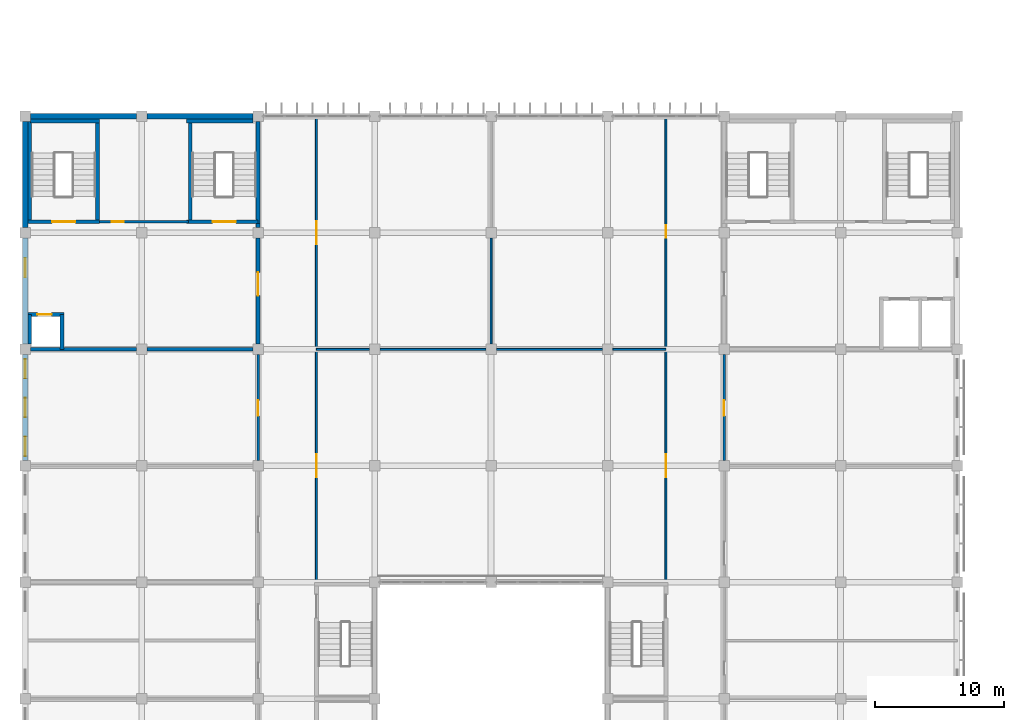
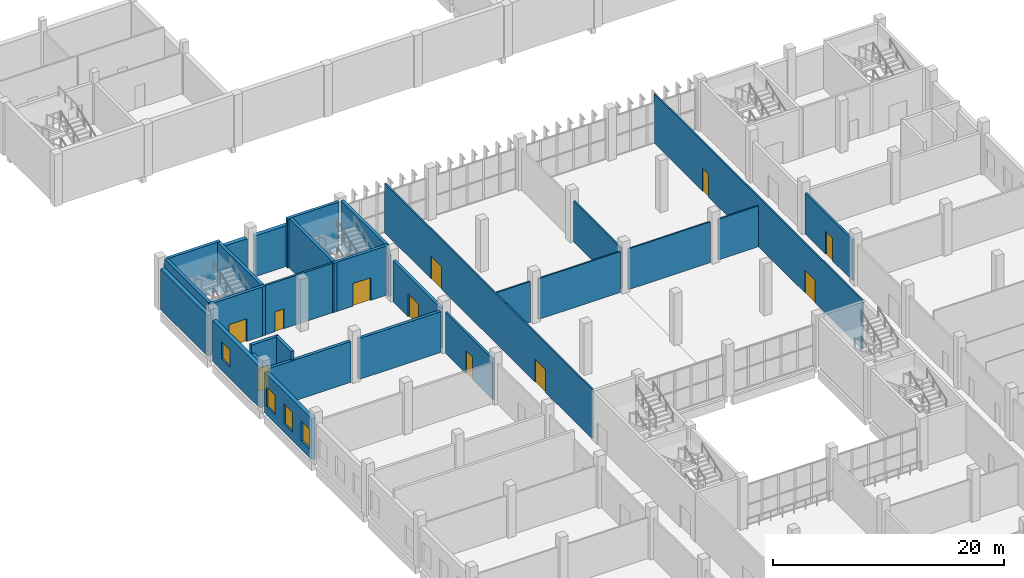
# One storey, part 109 of 185: 30 walls, 11 doors, 4 windows, 15 openings.
"""IFC4 building model written with IfcOpenShell, lengths in metres."""

from ifc_helpers import new_model, si_unit, direction, frame, frame_2d, origin, place, context, subcontext, project, spatial, rectangle, extrude, material, layer, layer_set, type_object, element, fill, save


model = new_model("IFC4")

# Units and contexts
model_context = context("Model", 3, precision=1e-05, world=origin(), true_north=direction((0.0, 1.0)))
body_context = subcontext(model_context, "Body", "Model", "MODEL_VIEW")
ifc_project = project(units=[si_unit("LENGTHUNIT", "METRE"), si_unit("AREAUNIT", "SQUARE_METRE"), si_unit("VOLUMEUNIT", "CUBIC_METRE"), si_unit("PLANEANGLEUNIT", "RADIAN"), si_unit("MASSUNIT", "GRAM", prefix="KILO")], contexts=[model_context])

# Site, building, storey
site_placement = place(None, origin())
site = spatial("IfcSite", under=ifc_project, at=site_placement, CompositionType="ELEMENT")
building_placement = place(site_placement, origin())
building = spatial("IfcBuilding", under=site, at=building_placement, Name="Opaline Strait Convention Centre", CompositionType="ELEMENT")
storey_placement = place(building_placement, frame((0.0, 0.0, 6.0)))
storey = spatial("IfcBuildingStorey", under=building, at=storey_placement, Name="L01", CompositionType="ELEMENT", Elevation=6.0)

# Wall, opening, door
ifc_material_1 = material(Name="Gypsum board on metal studs with mineral wool")
ifc_layer_1 = layer(ifc_material_1, 0.199951171875)
ifc_layer_set_1 = layer_set([ifc_layer_1], Name="Gypsum board on metal studs with mineral wool")
wall_type_1 = type_object("IfcWallType", Name="Fire partition 200", PredefinedType="PARTITIONING", material=ifc_layer_set_1)
wall_1_placement = place(storey_placement, frame((14.75, 90.85009765625, 0.0), z_axis=(0.0, 0.0, 1.0), x_axis=(1.0, 0.0, 0.0)))
wall_1 = element("IfcWall", 1, at=wall_1_placement, inside=storey, type_object=wall_type_1, Name="NW core STORE-N wall", PredefinedType="PARTITIONING", context=body_context, shape_type="SweptSolid", body=[
    extrude(rectangle(XDim=6.85009765625, YDim=0.199951171875, at=frame_2d((3.425048828125, 0.0))), origin(), (0.0, 0.0, 1.0), 5.219970703125),
])
opening_1_placement = place(wall_1_placement, frame((0.949951171875, 0.0, 0.0)))
opening_1 = element("IfcOpeningElement", 2, at=opening_1_placement, cuts=wall_1, Name="Opening R1-014", PredefinedType="OPENING", context=body_context, shape_type="SweptSolid", body=[
    extrude(rectangle(XDim=0.89990234375, YDim=2.10009765625, at=frame_2d((0.449951171875, 1.050048828125))), frame((0.0, 0.10986328125, 0.0), z_axis=(0.0, -1.0, 0.0), x_axis=(1.0, 0.0, 0.0)), (0.0, 0.0, 1.0), 0.219970703125),
])
ifc_material_2 = material(Name="Galvanised steel door leaf", Category="steel")
door_type_1 = type_object("IfcDoorType", Name="Services store door 900x2100 FD60", OperationType="SINGLE_SWING_LEFT", PredefinedType="DOOR", material=ifc_material_2)
door_1_placement = place(opening_1_placement, frame((0.89990234375, 0.0, 0.0), z_axis=(0.0, 0.0, 1.0), x_axis=(-1.0, 0.0, 0.0)))
door_1 = element("IfcDoor", 3, at=door_1_placement, inside=storey, type_object=door_type_1, Name="Services store door NW R1-014", ObjectType="RD8", OperationType="SINGLE_SWING_LEFT", OverallHeight=2.10009765625, OverallWidth=0.89990234375, PredefinedType="DOOR", context=body_context, shape_type="SweptSolid", body=[
    extrude(rectangle(XDim=0.89990234375, YDim=2.10009765625, at=frame_2d((0.449951171875, 1.050048828125))), frame((0.0, 0.02490234375, 0.0), z_axis=(0.0, -1.0, 0.0), x_axis=(1.0, 0.0, 0.0)), (0.0, 0.0, 1.0), 0.050048828125),
])
fill(opening_1, door_1)

wall_2_placement = place(storey_placement, frame((27.0, 72.39990234375, 0.0), z_axis=(0.0, 0.0, 1.0), x_axis=(0.0, 1.0, 0.0)))
wall_2 = element("IfcWall", 4, at=wall_2_placement, inside=storey, type_object=wall_type_1, Name="L01 partition", PredefinedType="PARTITIONING", context=body_context, shape_type="SweptSolid", body=[
    extrude(rectangle(XDim=8.2001953125, YDim=0.199951171875, at=frame_2d((4.10009765625, 0.0))), origin(), (0.0, 0.0, 1.0), 4.320068359375),
])
opening_2_placement = place(wall_2_placement, frame((3.449951171875, 0.0, 0.0)))
opening_2 = element("IfcOpeningElement", 5, at=opening_2_placement, cuts=wall_2, Name="Opening R1-042", PredefinedType="OPENING", context=body_context, shape_type="SweptSolid", body=[
    extrude(rectangle(XDim=1.199951171875, YDim=2.39990234375, at=frame_2d((0.60009765625, 1.199951171875))), frame((0.0, 0.10986328125, 0.0), z_axis=(0.0, -1.0, 0.0), x_axis=(1.0, 0.0, 0.0)), (0.0, 0.0, 1.0), 0.219970703125),
])
ifc_material_3 = material(Name="Stainless steel 304 door leaf", Category="steel")
door_type_2 = type_object("IfcDoorType", Name="Kitchen door 1200x2400 FD90", OperationType="SINGLE_SWING_LEFT", PredefinedType="DOOR", material=ifc_material_3)
door_2_placement = place(opening_2_placement, frame((1.199951171875, 0.0, 0.0), z_axis=(0.0, 0.0, 1.0), x_axis=(-1.0, 0.0, 0.0)))
door_2 = element("IfcDoor", 6, at=door_2_placement, inside=storey, type_object=door_type_2, Name="Main Kitchen West door R1-042", ObjectType="RD3", OperationType="SINGLE_SWING_LEFT", OverallHeight=2.39990234375, OverallWidth=1.199951171875, PredefinedType="DOOR", context=body_context, shape_type="SweptSolid", body=[
    extrude(rectangle(XDim=1.199951171875, YDim=2.39990234375, at=frame_2d((0.60009765625, 1.199951171875))), frame((0.0, 0.02490234375, 0.0), z_axis=(0.0, -1.0, 0.0), x_axis=(1.0, 0.0, 0.0)), (0.0, 0.0, 1.0), 0.050048828125),
])
fill(opening_2, door_2)

wall_3_placement = place(storey_placement, frame((63.0, 72.39990234375, 0.0), z_axis=(0.0, 0.0, 1.0), x_axis=(0.0, 1.0, 0.0)))
wall_3 = element("IfcWall", 7, at=wall_3_placement, inside=storey, type_object=wall_type_1, Name="L01 partition", PredefinedType="PARTITIONING", context=body_context, shape_type="SweptSolid", body=[
    extrude(rectangle(XDim=8.2001953125, YDim=0.199951171875, at=frame_2d((4.10009765625, 0.0))), origin(), (0.0, 0.0, 1.0), 4.320068359375),
])
opening_3_placement = place(wall_3_placement, frame((3.449951171875, 0.0, 0.0)))
opening_3 = element("IfcOpeningElement", 8, at=opening_3_placement, cuts=wall_3, Name="Opening R1-048", PredefinedType="OPENING", context=body_context, shape_type="SweptSolid", body=[
    extrude(rectangle(XDim=1.199951171875, YDim=2.39990234375, at=frame_2d((0.60009765625, 1.199951171875))), frame((0.0, 0.10986328125, 0.0), z_axis=(0.0, -1.0, 0.0), x_axis=(1.0, 0.0, 0.0)), (0.0, 0.0, 1.0), 0.219970703125),
])
door_3_placement = place(opening_3_placement, origin())
door_3 = element("IfcDoor", 9, at=door_3_placement, inside=storey, type_object=door_type_2, Name="Main Kitchen East door R1-048", ObjectType="RD3", OperationType="SINGLE_SWING_LEFT", OverallHeight=2.39990234375, OverallWidth=1.199951171875, PredefinedType="DOOR", context=body_context, shape_type="SweptSolid", body=[
    extrude(rectangle(XDim=1.199951171875, YDim=2.39990234375, at=frame_2d((0.60009765625, 1.199951171875))), frame((0.0, 0.02490234375, 0.0), z_axis=(0.0, -1.0, 0.0), x_axis=(1.0, 0.0, 0.0)), (0.0, 0.0, 1.0), 0.050048828125),
])
fill(opening_3, door_3)

# Walls
ifc_layer_2 = layer(ifc_material_1, 0.14990234375)
ifc_layer_set_2 = layer_set([ifc_layer_2], Name="Gypsum board on metal studs with mineral wool")
wall_type_2 = type_object("IfcWallType", Name="Partition 150", PredefinedType="PARTITIONING", material=ifc_layer_set_2)
wall_4_placement = place(storey_placement, frame((31.5, 81.0, 0.0), z_axis=(0.0, 0.0, 1.0), x_axis=(1.0, 0.0, 0.0)))
element("IfcWall", 10, at=wall_4_placement, inside=storey, type_object=wall_type_2, Name="L01 partition", PredefinedType="PARTITIONING", context=body_context, shape_type="SweptSolid", body=[
    extrude(rectangle(XDim=4.10009765625, YDim=0.14990234375, at=frame_2d((2.050048828125, 0.0))), origin(), (0.0, 0.0, 1.0), 4.320068359375),
])
for number, where, z_axis, x_axis, name in (
    (11, (36.39990234375, 81.0, 0.0), (0.0, 0.0, 1.0), (1.0, 0.0, 0.0), "L01 partition"),
    (12, (45.39990234375, 81.0, 0.0), (0.0, 0.0, 1.0), (1.0, 0.0, 0.0), "L01 partition"),
):
    element("IfcWall", number, at=place(storey_placement, frame(where, z_axis=z_axis, x_axis=x_axis)), inside=storey, type_object=wall_type_2, Name=name, PredefinedType="PARTITIONING", context=body_context, shape_type="SweptSolid", body=[
        extrude(rectangle(XDim=8.2001953125, YDim=0.14990234375, at=frame_2d((4.10009765625, 0.0))), origin(), (0.0, 0.0, 1.0), 4.320068359375),
    ])
wall_5_placement = place(storey_placement, frame((54.39990234375, 81.0, 0.0), z_axis=(0.0, 0.0, 1.0), x_axis=(1.0, 0.0, 0.0)))
element("IfcWall", 13, at=wall_5_placement, inside=storey, type_object=wall_type_2, Name="L01 partition", PredefinedType="PARTITIONING", context=body_context, shape_type="SweptSolid", body=[
    extrude(rectangle(XDim=4.10009765625, YDim=0.14990234375, at=frame_2d((2.050048828125, 0.0))), origin(), (0.0, 0.0, 1.0), 4.320068359375),
])

# Wall, openings, doors
wall_6_placement = place(storey_placement, frame((31.5, 63.0, 0.0), z_axis=(0.0, 0.0, 1.0), x_axis=(0.0, 1.0, 0.0)))
wall_6 = element("IfcWall", 14, at=wall_6_placement, inside=storey, type_object=wall_type_2, Name="L01 partition", PredefinedType="PARTITIONING", context=body_context, shape_type="SweptSolid", body=[
    extrude(rectangle(XDim=36.0, YDim=0.14990234375, at=frame_2d((18.0, 0.0))), origin(), (0.0, 0.0, 1.0), 5.219970703125),
])
opening_4_placement = place(wall_6_placement, frame((8.10009765625, 0.0, 0.0)))
opening_4 = element("IfcOpeningElement", 15, at=opening_4_placement, cuts=wall_6, Name="Opening R1-033", PredefinedType="OPENING", context=body_context, shape_type="SweptSolid", body=[
    extrude(rectangle(XDim=1.800048828125, YDim=2.39990234375, at=frame_2d((0.89990234375, 1.199951171875))), frame((0.0, 0.0849609375, 0.0), z_axis=(0.0, -1.0, 0.0), x_axis=(1.0, 0.0, 0.0)), (0.0, 0.0, 1.0), 0.169921875),
])
opening_5_placement = place(wall_6_placement, frame((26.10009765625, 0.0, 0.0)))
opening_5 = element("IfcOpeningElement", 16, at=opening_5_placement, cuts=wall_6, Name="Opening R1-035", PredefinedType="OPENING", context=body_context, shape_type="SweptSolid", body=[
    extrude(rectangle(XDim=1.800048828125, YDim=2.39990234375, at=frame_2d((0.89990234375, 1.199951171875))), frame((0.0, 0.0849609375, 0.0), z_axis=(0.0, -1.0, 0.0), x_axis=(1.0, 0.0, 0.0)), (0.0, 0.0, 1.0), 0.169921875),
])
ifc_material_4 = material(Name="Timber door leaves in steel frame", Category="steel")
door_type_3 = type_object("IfcDoorType", Name="Door 1800x2400 double FD30", OperationType="DOUBLE_DOOR_SINGLE_SWING", PredefinedType="DOOR", material=ifc_material_4)
door_4_placement = place(opening_4_placement, origin())
door_4 = element("IfcDoor", 17, at=door_4_placement, inside=storey, type_object=door_type_3, Name="Chinese Restaurant door R1-033", ObjectType="RD2", OperationType="DOUBLE_DOOR_SINGLE_SWING", OverallHeight=2.39990234375, OverallWidth=1.800048828125, PredefinedType="DOOR", context=body_context, shape_type="SweptSolid", body=[
    extrude(rectangle(XDim=1.800048828125, YDim=2.39990234375, at=frame_2d((0.89990234375, 1.199951171875))), frame((0.0, 0.02490234375, 0.0), z_axis=(0.0, -1.0, 0.0), x_axis=(1.0, 0.0, 0.0)), (0.0, 0.0, 1.0), 0.050048828125),
])
fill(opening_4, door_4)
door_5_placement = place(opening_5_placement, origin())
door_5 = element("IfcDoor", 18, at=door_5_placement, inside=storey, type_object=door_type_3, Name="Business Centre Reception door R1-035", ObjectType="RD2", OperationType="DOUBLE_DOOR_SINGLE_SWING", OverallHeight=2.39990234375, OverallWidth=1.800048828125, PredefinedType="DOOR", context=body_context, shape_type="SweptSolid", body=[
    extrude(rectangle(XDim=1.800048828125, YDim=2.39990234375, at=frame_2d((0.89990234375, 1.199951171875))), frame((0.0, 0.02490234375, 0.0), z_axis=(0.0, -1.0, 0.0), x_axis=(1.0, 0.0, 0.0)), (0.0, 0.0, 1.0), 0.050048828125),
])
fill(opening_5, door_5)

# Wall
wall_7_placement = place(storey_placement, frame((45.0, 81.39990234375, 0.0), z_axis=(0.0, 0.0, 1.0), x_axis=(0.0, 1.0, 0.0)))
element("IfcWall", 19, at=wall_7_placement, inside=storey, type_object=wall_type_2, Name="L01 partition", PredefinedType="PARTITIONING", context=body_context, shape_type="SweptSolid", body=[
    extrude(rectangle(XDim=8.2001953125, YDim=0.14990234375, at=frame_2d((4.10009765625, 0.0))), origin(), (0.0, 0.0, 1.0), 4.320068359375),
])

# Wall, openings, doors
wall_8_placement = place(storey_placement, frame((58.5, 63.0, 0.0), z_axis=(0.0, 0.0, 1.0), x_axis=(0.0, 1.0, 0.0)))
wall_8 = element("IfcWall", 20, at=wall_8_placement, inside=storey, type_object=wall_type_2, Name="L01 partition", PredefinedType="PARTITIONING", context=body_context, shape_type="SweptSolid", body=[
    extrude(rectangle(XDim=36.0, YDim=0.14990234375, at=frame_2d((18.0, 0.0))), origin(), (0.0, 0.0, 1.0), 5.219970703125),
])
opening_6_placement = place(wall_8_placement, frame((8.10009765625, 0.0, 0.0)))
opening_6 = element("IfcOpeningElement", 21, at=opening_6_placement, cuts=wall_8, Name="Opening R1-034", PredefinedType="OPENING", context=body_context, shape_type="SweptSolid", body=[
    extrude(rectangle(XDim=1.800048828125, YDim=2.39990234375, at=frame_2d((0.89990234375, 1.199951171875))), frame((0.0, 0.0849609375, 0.0), z_axis=(0.0, -1.0, 0.0), x_axis=(1.0, 0.0, 0.0)), (0.0, 0.0, 1.0), 0.169921875),
])
opening_7_placement = place(wall_8_placement, frame((26.60009765625, 0.0, 0.0)))
opening_7 = element("IfcOpeningElement", 22, at=opening_7_placement, cuts=wall_8, Name="Opening R1-036", PredefinedType="OPENING", context=body_context, shape_type="SweptSolid", body=[
    extrude(rectangle(XDim=1.0, YDim=2.39990234375, at=frame_2d((0.5, 1.199951171875))), frame((0.0, 0.0849609375, 0.0), z_axis=(0.0, -1.0, 0.0), x_axis=(1.0, 0.0, 0.0)), (0.0, 0.0, 1.0), 0.169921875),
])
ifc_material_5 = material(Name="Timber door leaf in steel frame", Category="steel")
door_type_4 = type_object("IfcDoorType", Name="Door 1000x2400 single FD30", OperationType="SINGLE_SWING_LEFT", PredefinedType="DOOR", material=ifc_material_5)
door_6_placement = place(opening_7_placement, frame((1.0, 0.0, 0.0), z_axis=(0.0, 0.0, 1.0), x_axis=(-1.0, 0.0, 0.0)))
door_6 = element("IfcDoor", 23, at=door_6_placement, inside=storey, type_object=door_type_4, Name="Print and Copy Centre door R1-036", ObjectType="RD1", OperationType="SINGLE_SWING_LEFT", OverallHeight=2.39990234375, OverallWidth=1.0, PredefinedType="DOOR", context=body_context, shape_type="SweptSolid", body=[
    extrude(rectangle(XDim=1.0, YDim=2.39990234375, at=frame_2d((0.5, 1.199951171875))), frame((0.0, 0.02490234375, 0.0), z_axis=(0.0, -1.0, 0.0), x_axis=(1.0, 0.0, 0.0)), (0.0, 0.0, 1.0), 0.050048828125),
])
fill(opening_7, door_6)
door_7_placement = place(opening_6_placement, frame((1.800048828125, 0.0, 0.0), z_axis=(0.0, 0.0, 1.0), x_axis=(-1.0, 0.0, 0.0)))
door_7 = element("IfcDoor", 24, at=door_7_placement, inside=storey, type_object=door_type_3, Name="Chinese Restaurant door R1-034", ObjectType="RD2", OperationType="DOUBLE_DOOR_SINGLE_SWING", OverallHeight=2.39990234375, OverallWidth=1.800048828125, PredefinedType="DOOR", context=body_context, shape_type="SweptSolid", body=[
    extrude(rectangle(XDim=1.800048828125, YDim=2.39990234375, at=frame_2d((0.89990234375, 1.199951171875))), frame((0.0, 0.02490234375, 0.0), z_axis=(0.0, -1.0, 0.0), x_axis=(1.0, 0.0, 0.0)), (0.0, 0.0, 1.0), 0.050048828125),
])
fill(opening_6, door_7)

# Wall
ifc_material_6 = material(Name="Concrete C40", Category="concrete")
ifc_layer_3 = layer(ifc_material_6, 0.300048828125)
ifc_layer_set_3 = layer_set([ifc_layer_3], Name="Concrete C40")
wall_type_3 = type_object("IfcWallType", Name="RC wall 300 C40", PredefinedType="SOLIDWALL", material=ifc_layer_set_3)
wall_9_placement = place(storey_placement, frame((9.39990234375, 98.64990234375, 0.0), z_axis=(0.0, 0.0, 1.0), x_axis=(1.0, 0.0, 0.0)))
element("IfcWall", 25, at=wall_9_placement, inside=storey, type_object=wall_type_3, Name="NW core STA-S wall", PredefinedType="SOLIDWALL", context=body_context, shape_type="SweptSolid", body=[
    extrude(rectangle(XDim=5.35009765625, YDim=0.300048828125, at=frame_2d((2.675048828125, 0.0))), origin(), (0.0, 0.0, 1.0), 5.219970703125),
])

# Wall, opening, door
wall_10_placement = place(storey_placement, frame((9.199951171875, 90.85009765625, 0.0), z_axis=(0.0, 0.0, 1.0), x_axis=(1.0, 0.0, 0.0)))
wall_10 = element("IfcWall", 26, at=wall_10_placement, inside=storey, type_object=wall_type_3, Name="NW core STA-N wall", PredefinedType="SOLIDWALL", context=body_context, shape_type="SweptSolid", body=[
    extrude(rectangle(XDim=5.550048828125, YDim=0.300048828125, at=frame_2d((2.77490234375, 0.0))), origin(), (0.0, 0.0, 1.0), 5.219970703125),
])
opening_8_placement = place(wall_10_placement, frame((1.875, 0.0, 0.0)))
opening_8 = element("IfcOpeningElement", 27, at=opening_8_placement, cuts=wall_10, Name="Opening R1-012", PredefinedType="OPENING", context=body_context, shape_type="SweptSolid", body=[
    extrude(rectangle(XDim=1.800048828125, YDim=2.39990234375, at=frame_2d((0.89990234375, 1.199951171875))), frame((0.0, 0.159912109375, 0.0), z_axis=(0.0, -1.0, 0.0), x_axis=(1.0, 0.0, 0.0)), (0.0, 0.0, 1.0), 0.320068359375),
])
door_type_5 = type_object("IfcDoorType", Name="Stair door 1800x2400 double FD60", OperationType="DOUBLE_DOOR_SINGLE_SWING", PredefinedType="DOOR", material=ifc_material_4)
door_8_placement = place(opening_8_placement, frame((1.800048828125, 0.0, 0.0), z_axis=(0.0, 0.0, 1.0), x_axis=(-1.0, 0.0, 0.0)))
door_8 = element("IfcDoor", 28, at=door_8_placement, inside=storey, type_object=door_type_5, Name="Stair door NWA R1-012", ObjectType="RD7", OperationType="DOUBLE_DOOR_SINGLE_SWING", OverallHeight=2.39990234375, OverallWidth=1.800048828125, PredefinedType="DOOR", context=body_context, shape_type="SweptSolid", body=[
    extrude(rectangle(XDim=1.800048828125, YDim=2.39990234375, at=frame_2d((0.89990234375, 1.199951171875))), frame((0.0, 0.02490234375, 0.0), z_axis=(0.0, -1.0, 0.0), x_axis=(1.0, 0.0, 0.0)), (0.0, 0.0, 1.0), 0.050048828125),
])
fill(opening_8, door_8)

# Walls
wall_11_placement = place(storey_placement, frame((9.35009765625, 98.60009765625, 0.0), z_axis=(0.0, 0.0, 1.0), x_axis=(0.0, -1.0, 0.0)))
element("IfcWall", 29, at=wall_11_placement, inside=storey, type_object=wall_type_3, Name="NW core STA-W wall", PredefinedType="SOLIDWALL", context=body_context, shape_type="SweptSolid", body=[
    extrude(rectangle(XDim=7.900146484375, YDim=0.300048828125, at=frame_2d((3.9501953125, 0.0))), origin(), (0.0, 0.0, 1.0), 5.219970703125),
])
wall_12_placement = place(storey_placement, frame((14.60009765625, 98.800048828125, 0.0), z_axis=(0.0, 0.0, 1.0), x_axis=(0.0, -1.0, 0.0)))
element("IfcWall", 30, at=wall_12_placement, inside=storey, type_object=wall_type_3, Name="NW core STA-E wall", PredefinedType="SOLIDWALL", context=body_context, shape_type="SweptSolid", body=[
    extrude(rectangle(XDim=8.10009765625, YDim=0.300048828125, at=frame_2d((4.050048828125, 0.0))), origin(), (0.0, 0.0, 1.0), 5.219970703125),
])
wall_13_placement = place(storey_placement, frame((21.449951171875, 98.64990234375, 0.0), z_axis=(0.0, 0.0, 1.0), x_axis=(1.0, 0.0, 0.0)))
element("IfcWall", 31, at=wall_13_placement, inside=storey, type_object=wall_type_3, Name="NW core STB-S wall", PredefinedType="SOLIDWALL", context=body_context, shape_type="SweptSolid", body=[
    extrude(rectangle(XDim=5.150146484375, YDim=0.300048828125, at=frame_2d((2.5751953125, 0.0))), origin(), (0.0, 0.0, 1.0), 5.219970703125),
])

# Wall, opening, door
wall_14_placement = place(storey_placement, frame((21.449951171875, 90.85009765625, 0.0), z_axis=(0.0, 0.0, 1.0), x_axis=(1.0, 0.0, 0.0)))
wall_14 = element("IfcWall", 32, at=wall_14_placement, inside=storey, type_object=wall_type_3, Name="NW core STB-N wall", PredefinedType="SOLIDWALL", context=body_context, shape_type="SweptSolid", body=[
    extrude(rectangle(XDim=5.550048828125, YDim=0.300048828125, at=frame_2d((2.77490234375, 0.0))), origin(), (0.0, 0.0, 1.0), 5.219970703125),
])
opening_9_placement = place(wall_14_placement, frame((2.02490234375, 0.0, 0.0)))
opening_9 = element("IfcOpeningElement", 33, at=opening_9_placement, cuts=wall_14, Name="Opening R1-013", PredefinedType="OPENING", context=body_context, shape_type="SweptSolid", body=[
    extrude(rectangle(XDim=1.800048828125, YDim=2.39990234375, at=frame_2d((0.89990234375, 1.199951171875))), frame((0.0, 0.159912109375, 0.0), z_axis=(0.0, -1.0, 0.0), x_axis=(1.0, 0.0, 0.0)), (0.0, 0.0, 1.0), 0.320068359375),
])
door_9_placement = place(opening_9_placement, frame((1.800048828125, 0.0, 0.0), z_axis=(0.0, 0.0, 1.0), x_axis=(-1.0, 0.0, 0.0)))
door_9 = element("IfcDoor", 34, at=door_9_placement, inside=storey, type_object=door_type_5, Name="Stair door NWB R1-013", ObjectType="RD7", OperationType="DOUBLE_DOOR_SINGLE_SWING", OverallHeight=2.39990234375, OverallWidth=1.800048828125, PredefinedType="DOOR", context=body_context, shape_type="SweptSolid", body=[
    extrude(rectangle(XDim=1.800048828125, YDim=2.39990234375, at=frame_2d((0.89990234375, 1.199951171875))), frame((0.0, 0.02490234375, 0.0), z_axis=(0.0, -1.0, 0.0), x_axis=(1.0, 0.0, 0.0)), (0.0, 0.0, 1.0), 0.050048828125),
])
fill(opening_9, door_9)

# Walls
wall_15_placement = place(storey_placement, frame((21.75, 98.800048828125, 0.0), z_axis=(0.0, 0.0, 1.0), x_axis=(0.0, -1.0, 0.0)))
element("IfcWall", 35, at=wall_15_placement, inside=storey, type_object=wall_type_3, Name="NW core STB-W wall", PredefinedType="SOLIDWALL", context=body_context, shape_type="SweptSolid", body=[
    extrude(rectangle(XDim=8.10009765625, YDim=0.300048828125, at=frame_2d((4.050048828125, 0.0))), origin(), (0.0, 0.0, 1.0), 5.219970703125),
])
wall_16_placement = place(storey_placement, frame((27.0, 98.60009765625, 0.0), z_axis=(0.0, 0.0, 1.0), x_axis=(0.0, -1.0, 0.0)))
element("IfcWall", 36, at=wall_16_placement, inside=storey, type_object=wall_type_3, Name="NW core STB-E wall", PredefinedType="SOLIDWALL", context=body_context, shape_type="SweptSolid", body=[
    extrude(rectangle(XDim=7.900146484375, YDim=0.300048828125, at=frame_2d((3.9501953125, 0.0))), origin(), (0.0, 0.0, 1.0), 5.219970703125),
])
for number, where, z_axis, x_axis, name in (
    (37, (9.39990234375, 81.0, 0.0), (0.0, 0.0, 1.0), (1.0, 0.0, 0.0), "NW core BND-N wall"),
    (38, (18.39990234375, 81.0, 0.0), (0.0, 0.0, 1.0), (1.0, 0.0, 0.0), "NW core BND-N wall"),
):
    element("IfcWall", number, at=place(storey_placement, frame(where, z_axis=z_axis, x_axis=x_axis)), inside=storey, type_object=wall_type_3, Name=name, PredefinedType="SOLIDWALL", context=body_context, shape_type="SweptSolid", body=[
        extrude(rectangle(XDim=8.2001953125, YDim=0.300048828125, at=frame_2d((4.10009765625, 0.0))), origin(), (0.0, 0.0, 1.0), 4.320068359375),
    ])

# Wall, opening, door
wall_17_placement = place(storey_placement, frame((27.0, 89.60009765625, 0.0), z_axis=(0.0, 0.0, 1.0), x_axis=(0.0, -1.0, 0.0)))
wall_17 = element("IfcWall", 39, at=wall_17_placement, inside=storey, type_object=wall_type_3, Name="NW core BND-E wall", PredefinedType="SOLIDWALL", context=body_context, shape_type="SweptSolid", body=[
    extrude(rectangle(XDim=8.2001953125, YDim=0.300048828125, at=frame_2d((4.10009765625, 0.0))), origin(), (0.0, 0.0, 1.0), 4.320068359375),
])
opening_10_placement = place(wall_17_placement, frame((2.64990234375, 0.0, 0.0)))
opening_10 = element("IfcOpeningElement", 40, at=opening_10_placement, cuts=wall_17, Name="Opening R1-015", PredefinedType="OPENING", context=body_context, shape_type="SweptSolid", body=[
    extrude(rectangle(XDim=1.800048828125, YDim=2.39990234375, at=frame_2d((0.89990234375, 1.199951171875))), frame((0.0, 0.159912109375, 0.0), z_axis=(0.0, -1.0, 0.0), x_axis=(1.0, 0.0, 0.0)), (0.0, 0.0, 1.0), 0.320068359375),
])
door_type_6 = type_object("IfcDoorType", Name="Door 1800x2400 double FD60", OperationType="DOUBLE_DOOR_SINGLE_SWING", PredefinedType="DOOR", material=ifc_material_4)
door_10_placement = place(opening_10_placement, origin())
door_10 = element("IfcDoor", 41, at=door_10_placement, inside=storey, type_object=door_type_6, Name="Core lobby door NW R1-015", ObjectType="RD9", OperationType="DOUBLE_DOOR_SINGLE_SWING", OverallHeight=2.39990234375, OverallWidth=1.800048828125, PredefinedType="DOOR", context=body_context, shape_type="SweptSolid", body=[
    extrude(rectangle(XDim=1.800048828125, YDim=2.39990234375, at=frame_2d((0.89990234375, 1.199951171875))), frame((0.0, 0.02490234375, 0.0), z_axis=(0.0, -1.0, 0.0), x_axis=(1.0, 0.0, 0.0)), (0.0, 0.0, 1.0), 0.050048828125),
])
fill(opening_10, door_10)

# Wall
wall_18_placement = place(storey_placement, frame((27.0, 90.699951171875, 0.0), z_axis=(0.0, 0.0, 1.0), x_axis=(0.0, -1.0, 0.0)))
element("IfcWall", 42, at=wall_18_placement, inside=storey, type_object=wall_type_3, Name="NW core BND-E wall", PredefinedType="SOLIDWALL", context=body_context, shape_type="SweptSolid", body=[
    extrude(rectangle(XDim=0.300048828125, YDim=0.300048828125, at=frame_2d((0.14990234375, 0.0))), origin(), (0.0, 0.0, 1.0), 4.320068359375),
])

# Wall, opening, door
wall_19_placement = place(storey_placement, frame((9.199951171875, 83.699951171875, 0.0), z_axis=(0.0, 0.0, 1.0), x_axis=(1.0, 0.0, 0.0)))
wall_19 = element("IfcWall", 43, at=wall_19_placement, inside=storey, type_object=wall_type_3, Name="NW core LIFT-S wall", PredefinedType="SOLIDWALL", context=body_context, shape_type="SweptSolid", body=[
    extrude(rectangle(XDim=2.800048828125, YDim=0.300048828125, at=frame_2d((1.39990234375, 0.0))), origin(), (0.0, 0.0, 1.0), 5.219970703125),
])
opening_11_placement = place(wall_19_placement, frame((0.75, 0.0, 0.0)))
opening_11 = element("IfcOpeningElement", 44, at=opening_11_placement, cuts=wall_19, Name="Opening R1-016", PredefinedType="OPENING", context=body_context, shape_type="SweptSolid", body=[
    extrude(rectangle(XDim=1.10009765625, YDim=2.39990234375, at=frame_2d((0.550048828125, 1.199951171875))), frame((0.0, 0.159912109375, 0.0), z_axis=(0.0, -1.0, 0.0), x_axis=(1.0, 0.0, 0.0)), (0.0, 0.0, 1.0), 0.320068359375),
])
ifc_material_7 = material(Name="Stainless steel 304 door leaves", Category="steel")
door_type_7 = type_object("IfcDoorType", Name="Lift landing door 1100x2400 sliding FD60", OperationType="SLIDING_TO_LEFT", PredefinedType="DOOR", material=ifc_material_7)
door_11_placement = place(opening_11_placement, origin())
door_11 = element("IfcDoor", 45, at=door_11_placement, inside=storey, type_object=door_type_7, Name="Lift landing door NWP R1-016", ObjectType="LD1", OperationType="SLIDING_TO_LEFT", OverallHeight=2.39990234375, OverallWidth=1.10009765625, PredefinedType="DOOR", context=body_context, shape_type="SweptSolid", body=[
    extrude(rectangle(XDim=1.10009765625, YDim=2.39990234375, at=frame_2d((0.550048828125, 1.199951171875))), frame((0.0, 0.02490234375, 0.0), z_axis=(0.0, -1.0, 0.0), x_axis=(1.0, 0.0, 0.0)), (0.0, 0.0, 1.0), 0.050048828125),
])
fill(opening_11, door_11)

# Walls
wall_20_placement = place(storey_placement, frame((11.85009765625, 83.699951171875, 0.0), z_axis=(0.0, 0.0, 1.0), x_axis=(0.0, -1.0, 0.0)))
element("IfcWall", 46, at=wall_20_placement, inside=storey, type_object=wall_type_3, Name="NW core LIFT-M wall", PredefinedType="SOLIDWALL", context=body_context, shape_type="SweptSolid", body=[
    extrude(rectangle(XDim=2.699951171875, YDim=0.300048828125, at=frame_2d((1.35009765625, 0.0))), origin(), (0.0, 0.0, 1.0), 5.219970703125),
])
wall_21_placement = place(storey_placement, frame((9.35009765625, 83.699951171875, 0.0), z_axis=(0.0, 0.0, 1.0), x_axis=(0.0, -1.0, 0.0)))
element("IfcWall", 47, at=wall_21_placement, inside=storey, type_object=wall_type_3, Name="NW core LIFT-W wall", PredefinedType="SOLIDWALL", context=body_context, shape_type="SweptSolid", body=[
    extrude(rectangle(XDim=2.300048828125, YDim=0.300048828125, at=frame_2d((1.14990234375, 0.0))), origin(), (0.0, 0.0, 1.0), 4.320068359375),
])
ifc_layer_4 = layer(ifc_material_6, 0.320068359375)
ifc_material_8 = material(Name="Mineral wool insulation")
ifc_layer_5 = layer(ifc_material_8, 0.050048828125)
ifc_material_9 = material(Name="Gypsum board lining")
ifc_layer_6 = layer(ifc_material_9, 0.030029296875)
ifc_layer_set_4 = layer_set([ifc_layer_4, ifc_layer_5, ifc_layer_6], Name="Concrete C40, Mineral wool insulation, Gypsum board lining")
wall_type_4 = type_object("IfcWallType", Name="RC wall 400 C40", PredefinedType="SOLIDWALL", material=ifc_layer_set_4)
for number, where, z_axis, x_axis, name in (
    (48, (9.39990234375, 99.0, 0.0), (0.0, 0.0, 1.0), (1.0, 0.0, 0.0), "L01 N external wall 1"),
    (49, (18.39990234375, 99.0, 0.0), (0.0, 0.0, 1.0), (1.0, 0.0, 0.0), "L01 N external wall 2"),
):
    element("IfcWall", number, at=place(storey_placement, frame(where, z_axis=z_axis, x_axis=x_axis)), inside=storey, type_object=wall_type_4, Name=name, PredefinedType="SOLIDWALL", context=body_context, shape_type="SweptSolid", body=[
        extrude(rectangle(XDim=8.2001953125, YDim=0.39990234375, at=frame_2d((4.10009765625, 0.0))), origin(), (0.0, 0.0, 1.0), 4.320068359375),
    ])

# Wall, openings, windows
wall_22_placement = place(storey_placement, frame((9.0, 72.39990234375, 0.0), z_axis=(0.0, 0.0, 1.0), x_axis=(0.0, 1.0, 0.0)))
wall_22 = element("IfcWall", 50, at=wall_22_placement, inside=storey, type_object=wall_type_4, Name="L01 W external wall 8", PredefinedType="SOLIDWALL", context=body_context, shape_type="SweptSolid", body=[
    extrude(rectangle(XDim=8.2001953125, YDim=0.39990234375, at=frame_2d((4.10009765625, 0.0))), origin(), (0.0, 0.0, 1.0), 4.320068359375),
])
opening_12_placement = place(wall_22_placement, frame((0.35009765625, 0.0, 0.89990234375)))
opening_12 = element("IfcOpeningElement", 51, at=opening_12_placement, cuts=wall_22, Name="Opening RWN1", PredefinedType="OPENING", context=body_context, shape_type="SweptSolid", body=[
    extrude(rectangle(XDim=1.5, YDim=2.10009765625, at=frame_2d((0.75, 1.050048828125))), frame((0.0, 0.2099609375, 0.0), z_axis=(0.0, -1.0, 0.0), x_axis=(1.0, 0.0, 0.0)), (0.0, 0.0, 1.0), 0.419921875),
])
opening_13_placement = place(wall_22_placement, frame((3.35009765625, 0.0, 0.89990234375)))
opening_13 = element("IfcOpeningElement", 52, at=opening_13_placement, cuts=wall_22, Name="Opening RWN1", PredefinedType="OPENING", context=body_context, shape_type="SweptSolid", body=[
    extrude(rectangle(XDim=1.5, YDim=2.10009765625, at=frame_2d((0.75, 1.050048828125))), frame((0.0, 0.2099609375, 0.0), z_axis=(0.0, -1.0, 0.0), x_axis=(1.0, 0.0, 0.0)), (0.0, 0.0, 1.0), 0.419921875),
])
opening_14_placement = place(wall_22_placement, frame((6.35009765625, 0.0, 0.89990234375)))
opening_14 = element("IfcOpeningElement", 53, at=opening_14_placement, cuts=wall_22, Name="Opening RWN1", PredefinedType="OPENING", context=body_context, shape_type="SweptSolid", body=[
    extrude(rectangle(XDim=1.5, YDim=2.10009765625, at=frame_2d((0.75, 1.050048828125))), frame((0.0, 0.2099609375, 0.0), z_axis=(0.0, -1.0, 0.0), x_axis=(1.0, 0.0, 0.0)), (0.0, 0.0, 1.0), 0.419921875),
])
ifc_material_10 = material(Name="Aluminium framed double glazing", Category="aluminium")
window_type_1 = type_object("IfcWindowType", Name="Window 1500x2100 sill 900", PartitioningType="SINGLE_PANEL", PredefinedType="WINDOW", material=ifc_material_10)
window_1_placement = place(opening_12_placement, origin())
window_1 = element("IfcWindow", 54, at=window_1_placement, inside=storey, type_object=window_type_1, Name="Window L01-W8-W1", OverallHeight=2.10009765625, OverallWidth=1.5, PartitioningType="SINGLE_PANEL", PredefinedType="WINDOW", context=body_context, shape_type="SweptSolid", body=[
    extrude(rectangle(XDim=1.5, YDim=2.10009765625, at=frame_2d((0.75, 1.050048828125))), frame((0.0, 0.030029296875, 0.0), z_axis=(0.0, -1.0, 0.0), x_axis=(1.0, 0.0, 0.0)), (0.0, 0.0, 1.0), 0.06005859375),
])
fill(opening_12, window_1)
window_2_placement = place(opening_13_placement, origin())
window_2 = element("IfcWindow", 55, at=window_2_placement, inside=storey, type_object=window_type_1, Name="Window L01-W8-W2", OverallHeight=2.10009765625, OverallWidth=1.5, PartitioningType="SINGLE_PANEL", PredefinedType="WINDOW", context=body_context, shape_type="SweptSolid", body=[
    extrude(rectangle(XDim=1.5, YDim=2.10009765625, at=frame_2d((0.75, 1.050048828125))), frame((0.0, 0.030029296875, 0.0), z_axis=(0.0, -1.0, 0.0), x_axis=(1.0, 0.0, 0.0)), (0.0, 0.0, 1.0), 0.06005859375),
])
fill(opening_13, window_2)
window_3_placement = place(opening_14_placement, origin())
window_3 = element("IfcWindow", 56, at=window_3_placement, inside=storey, type_object=window_type_1, Name="Window L01-W8-W3", OverallHeight=2.10009765625, OverallWidth=1.5, PartitioningType="SINGLE_PANEL", PredefinedType="WINDOW", context=body_context, shape_type="SweptSolid", body=[
    extrude(rectangle(XDim=1.5, YDim=2.10009765625, at=frame_2d((0.75, 1.050048828125))), frame((0.0, 0.030029296875, 0.0), z_axis=(0.0, -1.0, 0.0), x_axis=(1.0, 0.0, 0.0)), (0.0, 0.0, 1.0), 0.06005859375),
])
fill(opening_14, window_3)

# Wall, opening, window
wall_23_placement = place(storey_placement, frame((9.0, 81.39990234375, 0.0), z_axis=(0.0, 0.0, 1.0), x_axis=(0.0, 1.0, 0.0)))
wall_23 = element("IfcWall", 57, at=wall_23_placement, inside=storey, type_object=wall_type_4, Name="L01 W external wall 9", PredefinedType="SOLIDWALL", context=body_context, shape_type="SweptSolid", body=[
    extrude(rectangle(XDim=8.2001953125, YDim=0.39990234375, at=frame_2d((4.10009765625, 0.0))), origin(), (0.0, 0.0, 1.0), 4.320068359375),
])
opening_15_placement = place(wall_23_placement, frame((5.14990234375, 0.0, 1.199951171875)))
opening_15 = element("IfcOpeningElement", 58, at=opening_15_placement, cuts=wall_23, Name="Opening RWN4", PredefinedType="OPENING", context=body_context, shape_type="SweptSolid", body=[
    extrude(rectangle(XDim=1.5, YDim=1.800048828125, at=frame_2d((0.75, 0.89990234375))), frame((0.0, 0.2099609375, 0.0), z_axis=(0.0, -1.0, 0.0), x_axis=(1.0, 0.0, 0.0)), (0.0, 0.0, 1.0), 0.419921875),
])
window_type_2 = type_object("IfcWindowType", Name="Window 1500x1800 sill 1200", PartitioningType="SINGLE_PANEL", PredefinedType="WINDOW", material=ifc_material_10)
window_4_placement = place(opening_15_placement, origin())
window_4 = element("IfcWindow", 59, at=window_4_placement, inside=storey, type_object=window_type_2, Name="Window L01-W9-W1", OverallHeight=1.800048828125, OverallWidth=1.5, PartitioningType="SINGLE_PANEL", PredefinedType="WINDOW", context=body_context, shape_type="SweptSolid", body=[
    extrude(rectangle(XDim=1.5, YDim=1.800048828125, at=frame_2d((0.75, 0.89990234375))), frame((0.0, 0.030029296875, 0.0), z_axis=(0.0, -1.0, 0.0), x_axis=(1.0, 0.0, 0.0)), (0.0, 0.0, 1.0), 0.06005859375),
])
fill(opening_15, window_4)

# Wall
wall_24_placement = place(storey_placement, frame((9.0, 90.39990234375, 0.0), z_axis=(0.0, 0.0, 1.0), x_axis=(0.0, 1.0, 0.0)))
element("IfcWall", 60, at=wall_24_placement, inside=storey, type_object=wall_type_4, Name="L01 W external wall 10", PredefinedType="SOLIDWALL", context=body_context, shape_type="SweptSolid", body=[
    extrude(rectangle(XDim=8.2001953125, YDim=0.39990234375, at=frame_2d((4.10009765625, 0.0))), origin(), (0.0, 0.0, 1.0), 4.320068359375),
])

save(model, "model.ifc")
